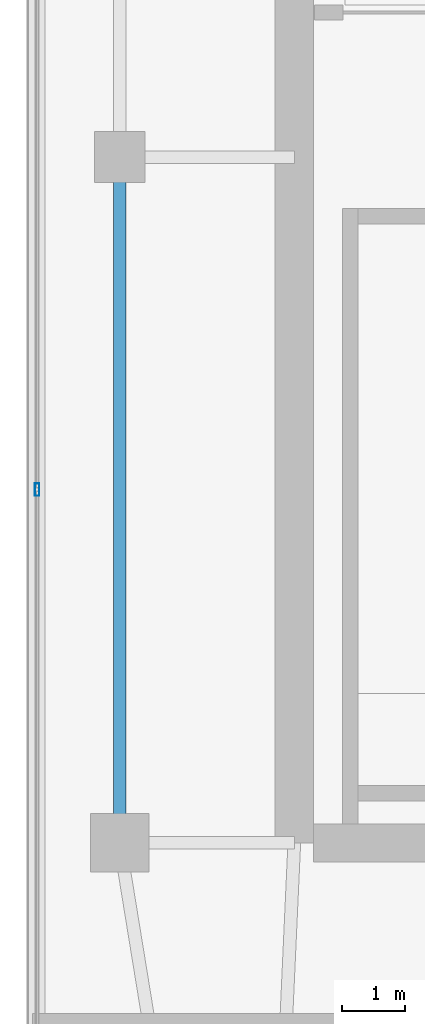
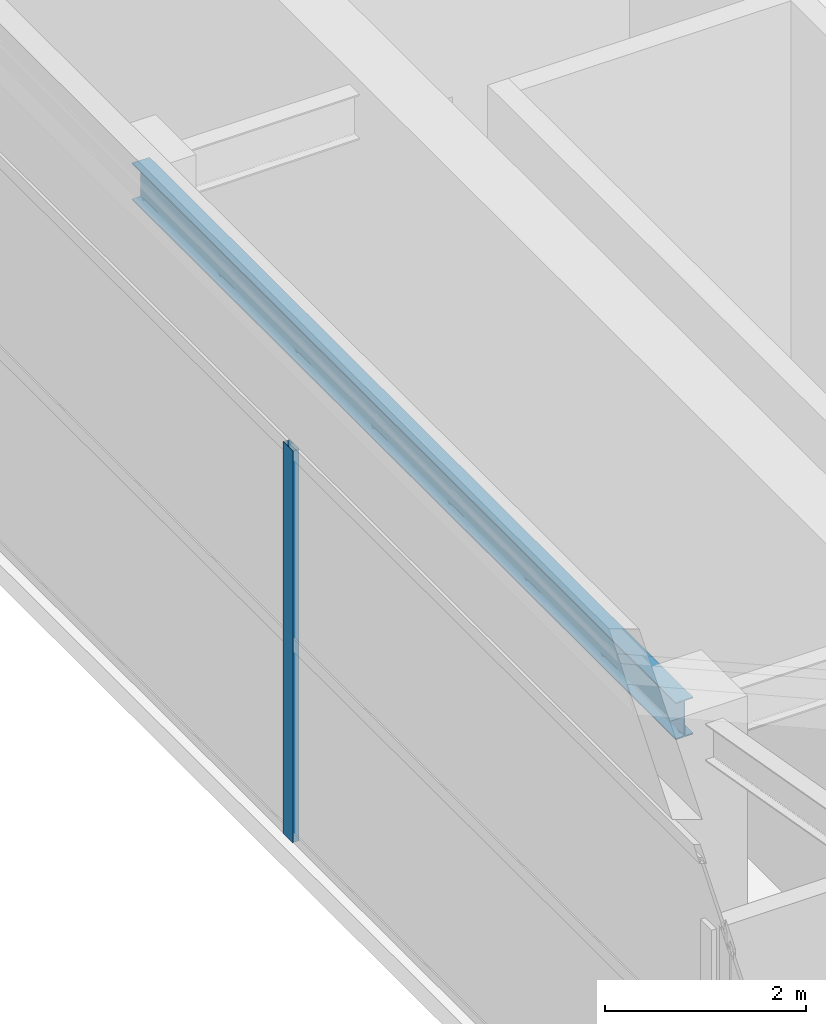
# One storey, part 9 of 20: 1 beam, 1 member, 1 element without a shape of its own.
"""IFC4 building model written with IfcOpenShell, lengths in metres."""

from ifc_helpers import new_model, si_unit, direction, frame, origin, origin_2d, place, context, subcontext, project, spatial, hollow_rectangle, i_section, extrude, material, layer, layer_set, material_profile, profile_set, type_object, element, aggregate, save


model = new_model("IFC4")

# Units and contexts
model_context = context("Model", 3, precision=1e-05, world=origin(), true_north=direction((0.0, 1.0)))
body_context = subcontext(model_context, "Body", "Model", "MODEL_VIEW")
ifc_project = project(units=[si_unit("LENGTHUNIT", "METRE"), si_unit("AREAUNIT", "SQUARE_METRE"), si_unit("VOLUMEUNIT", "CUBIC_METRE"), si_unit("PLANEANGLEUNIT", "RADIAN"), si_unit("MASSUNIT", "GRAM", prefix="KILO")], contexts=[model_context])

# Site, building, storey
site_placement = place(None, origin())
site = spatial("IfcSite", under=ifc_project, at=site_placement, CompositionType="ELEMENT")
building_placement = place(site_placement, origin())
building = spatial("IfcBuilding", under=site, at=building_placement, Name="Calvorn Quay Hotel", CompositionType="ELEMENT")
storey_placement = place(building_placement, frame((0.0, 0.0, 345.5)))
storey = spatial("IfcBuildingStorey", under=building, at=storey_placement, Name="L84", CompositionType="ELEMENT", Elevation=345.5)

# Beam
ifc_material_1 = material(Name="Steel Q355B", Category="steel")
ifc_material_profile_1 = material_profile(ifc_material_1, i_section(OverallWidth=0.199951171875, OverallDepth=0.449951171875, WebThickness=0.009033203125, FlangeThickness=0.013916015625, FilletRadius=0.01611328125, at=origin_2d()), Name="HN450x200x9x14")
ifc_profile_set_1 = profile_set([ifc_material_profile_1], Name="Steel Q355B")
beam_type = type_object("IfcBeamType", Name="BM-SPANDREL-Z3", PredefinedType="SPANDREL", material=ifc_profile_set_1)
beam_placement = place(storey_placement, frame((1.449951171875, 16.800048828125, 4.35498046875), z_axis=(0.0, 1.0, 0.0), x_axis=(-1.0, 0.0, 0.0)))
element("IfcBeam", 1, at=beam_placement, inside=storey, type_object=beam_type, Name="Beam BSP-L84-W2", PredefinedType="SPANDREL", context=body_context, shape_type="SweptSolid", body=[
    extrude(i_section(OverallWidth=0.199951171875, OverallDepth=0.449951171875, WebThickness=0.009033203125, FlangeThickness=0.013916015625, FilletRadius=0.01611328125, at=origin_2d()), origin(), (0.0, 0.0, 1.0), 10.800048828125),
])

# Curtain wall, member
ifc_material_2 = material(Name="Pale Anodised Aluminium and Laminated Glass", Category="aluminium")
ifc_layer = layer(ifc_material_2, 0.219970703125)
ifc_layer_set = layer_set([ifc_layer], Name="CW-SYS-CRN")
curtain_wall_type = type_object("IfcCurtainWallType", Name="CW-SYS-CRN", PredefinedType="NOTDEFINED", material=ifc_layer_set)
curtain_wall_placement = place(storey_placement, origin())
curtain_wall = element("IfcCurtainWall", 2, at=curtain_wall_placement, inside=storey, type_object=curtain_wall_type, Name="Crown Curtain Wall L84-C3", PredefinedType="NOTDEFINED")
ifc_material_3 = material(Name="Pale Anodised Aluminium 6063-T6", Category="aluminium")
ifc_material_profile_2 = material_profile(ifc_material_3, hollow_rectangle(XDim=0.072021484375, YDim=0.195068359375, WallThickness=0.00390625, at=origin_2d()), Name="ALU-M195x72x4")
ifc_profile_set_2 = profile_set([ifc_material_profile_2], Name="Pale Anodised Aluminium 6063-T6")
member_type = type_object("IfcMemberType", Name="CW-SYS-CRN-MUL", PredefinedType="MULLION", material=ifc_profile_set_2)
member_placement = place(storey_placement, frame((0.14990234375, 22.364013671875, 0.0), z_axis=(0.0, 0.0, 1.0), x_axis=(1.0, 0.0, 0.0)))
member = element("IfcMember", 3, at=member_placement, type_object=member_type, Name="CW-L84-C3 mullion 4", PredefinedType="MULLION", context=body_context, shape_type="SweptSolid", body=[
    extrude(hollow_rectangle(XDim=0.072021484375, YDim=0.195068359375, WallThickness=0.00390625, at=origin_2d()), origin(), (0.0, 0.0, 1.0), 4.75),
])
aggregate(curtain_wall, [member])

save(model, "model.ifc")
